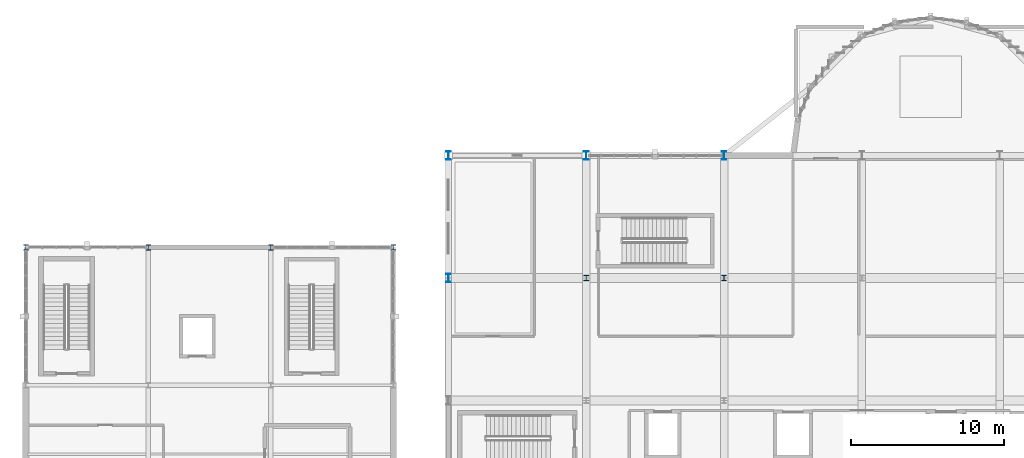
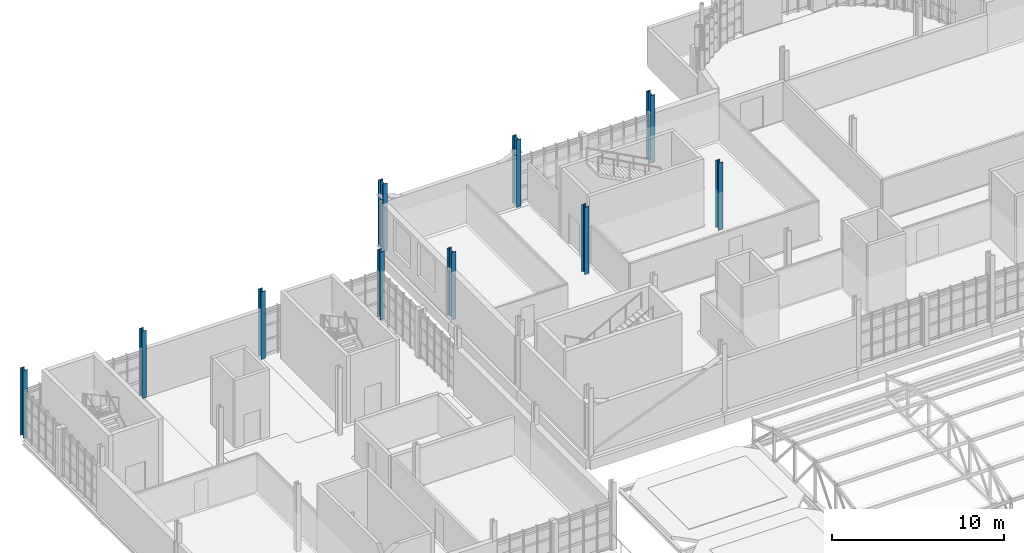
# One storey, part 3 of 128: 10 columns.
"""IFC4 building model written with IfcOpenShell, lengths in metres."""

from ifc_helpers import new_model, si_unit, direction, frame, origin, origin_2d, place, context, subcontext, project, spatial, i_section, extrude, material, material_profile, profile_set, type_object, element, save


model = new_model("IFC4")

# Units and contexts
model_context = context("Model", 3, precision=1e-05, world=origin(), true_north=direction((0.0, 1.0)))
body_context = subcontext(model_context, "Body", "Model", "MODEL_VIEW")
ifc_project = project(units=[si_unit("LENGTHUNIT", "METRE"), si_unit("AREAUNIT", "SQUARE_METRE"), si_unit("VOLUMEUNIT", "CUBIC_METRE"), si_unit("PLANEANGLEUNIT", "RADIAN"), si_unit("MASSUNIT", "GRAM", prefix="KILO")], contexts=[model_context])

# Site, building, storey
site_placement = place(None, origin())
site = spatial("IfcSite", under=ifc_project, at=site_placement, CompositionType="ELEMENT")
building_placement = place(site_placement, origin())
building = spatial("IfcBuilding", under=site, at=building_placement, Name="Serraforn Aerial Cableway Station", CompositionType="ELEMENT")
storey_placement = place(building_placement, frame((0.0, 0.0, 9.0)))
storey = spatial("IfcBuildingStorey", under=building, at=storey_placement, Name="L02", CompositionType="ELEMENT", Elevation=9.0)

# Columns
ifc_material = material(Name="Steel S355J2", Category="steel")
ifc_material_profile_1 = material_profile(ifc_material, i_section(OverallWidth=0.300048828125, OverallDepth=0.360107421875, WebThickness=0.012451171875, FlangeThickness=0.0224609375, FilletRadius=0.027099609375, at=origin_2d()), Name="HEB 360")
ifc_profile_set_1 = profile_set([ifc_material_profile_1], Name="Steel S355J2")
column_type_1 = type_object("IfcColumnType", Name="COL-ST-HEB360", PredefinedType="COLUMN", material=ifc_profile_set_1)
for number, where, z_axis, x_axis, name in (
    (1, (36.60009765625, 34.0, 0.0), (0.0, 0.0, 1.0), (1.0, 0.0, 0.0), "Column CV L02 6-D2"),
    (2, (45.60009765625, 34.0, 0.0), (0.0, 0.0, 1.0), (1.0, 0.0, 0.0), "Column CV L02 7-D2"),
):
    element("IfcColumn", number, at=place(storey_placement, frame(where, z_axis=z_axis, x_axis=x_axis)), inside=storey, type_object=column_type_1, Name=name, PredefinedType="COLUMN", context=body_context, shape_type="SweptSolid", body=[
        extrude(i_section(OverallWidth=0.300048828125, OverallDepth=0.360107421875, WebThickness=0.012451171875, FlangeThickness=0.0224609375, FilletRadius=0.027099609375, at=origin_2d()), origin(), (0.0, 0.0, 1.0), 4.800048828125),
    ])
ifc_material_profile_2 = material_profile(ifc_material, i_section(OverallWidth=0.300048828125, OverallDepth=0.360107421875, WebThickness=0.012451171875, FlangeThickness=0.0224609375, FilletRadius=0.027099609375, at=origin_2d()), Name="HEB 360")
ifc_profile_set_2 = profile_set([ifc_material_profile_2], Name="Steel S355J2")
column_type_2 = type_object("IfcColumnType", Name="COL-ST-HEB360E", PredefinedType="COLUMN", material=ifc_profile_set_2)
for number, where, z_axis, x_axis, name in (
    (3, (0.0, 36.0, 0.0), (0.0, 0.0, 1.0), (1.0, 0.0, 0.0), "Column W L02 1-E"),
    (4, (8.0, 36.0, 0.0), (0.0, 0.0, 1.0), (1.0, 0.0, 0.0), "Column W L02 2-E"),
    (5, (16.0, 36.0, 0.0), (0.0, 0.0, 1.0), (1.0, 0.0, 0.0), "Column W L02 3-E"),
    (6, (24.0, 36.0, 0.0), (0.0, 0.0, 1.0), (1.0, 0.0, 0.0), "Column W L02 4-E"),
):
    element("IfcColumn", number, at=place(storey_placement, frame(where, z_axis=z_axis, x_axis=x_axis)), inside=storey, type_object=column_type_2, Name=name, PredefinedType="COLUMN", context=body_context, shape_type="SweptSolid", body=[
        extrude(i_section(OverallWidth=0.300048828125, OverallDepth=0.360107421875, WebThickness=0.012451171875, FlangeThickness=0.0224609375, FilletRadius=0.027099609375, at=origin_2d()), origin(), (0.0, 0.0, 1.0), 4.800048828125),
    ])
ifc_material_profile_3 = material_profile(ifc_material, i_section(OverallWidth=0.300048828125, OverallDepth=0.550048828125, WebThickness=0.014892578125, FlangeThickness=0.029052734375, FilletRadius=0.027099609375, at=origin_2d()), Name="HEB 550")
ifc_profile_set_3 = profile_set([ifc_material_profile_3], Name="Steel S355J2")
column_type_3 = type_object("IfcColumnType", Name="COL-ST-HEB550", PredefinedType="COLUMN", material=ifc_profile_set_3)
for number, where, z_axis, x_axis, name in (
    (7, (27.60009765625, 34.0, 0.0), (0.0, 0.0, 1.0), (1.0, 0.0, 0.0), "Column CV L02 5-D2"),
    (8, (27.60009765625, 42.0, 0.0), (0.0, 0.0, 1.0), (1.0, 0.0, 0.0), "Column CV L02 5-F"),
    (9, (36.60009765625, 42.0, 0.0), (0.0, 0.0, 1.0), (1.0, 0.0, 0.0), "Column CV L02 6-F"),
    (10, (45.60009765625, 42.0, 0.0), (0.0, 0.0, 1.0), (1.0, 0.0, 0.0), "Column CV L02 7-F"),
):
    element("IfcColumn", number, at=place(storey_placement, frame(where, z_axis=z_axis, x_axis=x_axis)), inside=storey, type_object=column_type_3, Name=name, PredefinedType="COLUMN", context=body_context, shape_type="SweptSolid", body=[
        extrude(i_section(OverallWidth=0.300048828125, OverallDepth=0.550048828125, WebThickness=0.014892578125, FlangeThickness=0.029052734375, FilletRadius=0.027099609375, at=origin_2d()), origin(), (0.0, 0.0, 1.0), 4.800048828125),
    ])

save(model, "model.ifc")
